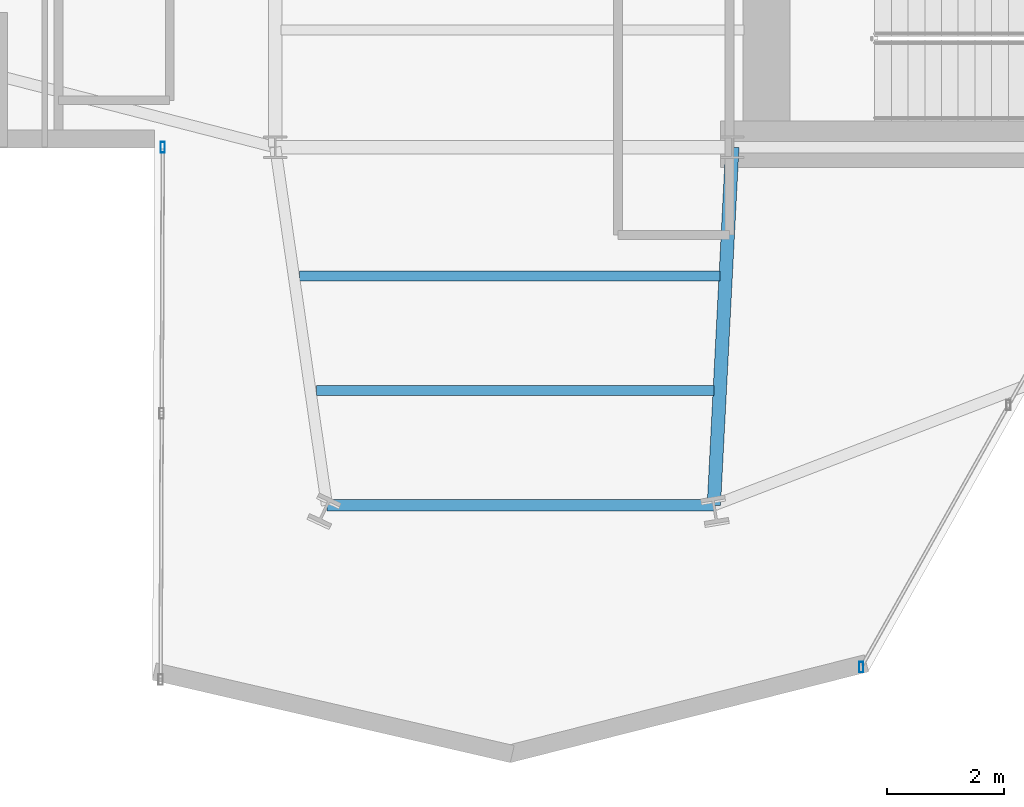
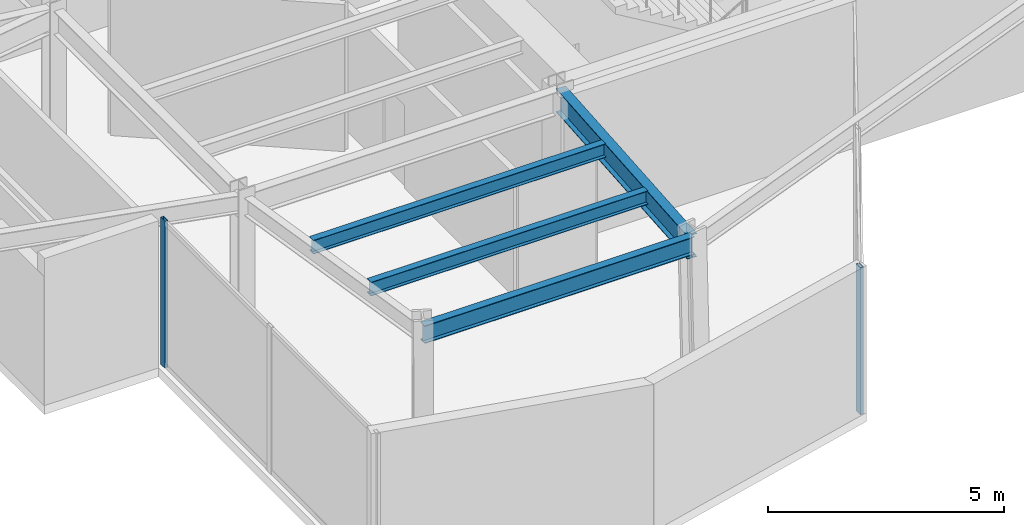
# One storey, part 5 of 23: 4 beams, 2 members, 2 elements without a shape of their own.
"""IFC4 building model written with IfcOpenShell, lengths in metres."""

from ifc_helpers import new_model, si_unit, direction, frame, origin, origin_2d, place, context, subcontext, project, spatial, hollow_rectangle, i_section, extrude, material, layer, layer_set, material_profile, profile_set, type_object, element, aggregate, save


model = new_model("IFC4")

# Units and contexts
model_context = context("Model", 3, precision=1e-05, world=origin(), true_north=direction((0.0, 1.0)))
body_context = subcontext(model_context, "Body", "Model", "MODEL_VIEW")
ifc_project = project(units=[si_unit("LENGTHUNIT", "METRE"), si_unit("AREAUNIT", "SQUARE_METRE"), si_unit("VOLUMEUNIT", "CUBIC_METRE"), si_unit("PLANEANGLEUNIT", "RADIAN"), si_unit("MASSUNIT", "GRAM", prefix="KILO")], contexts=[model_context])

# Site, building, storey
site_placement = place(None, origin())
site = spatial("IfcSite", under=ifc_project, at=site_placement, CompositionType="ELEMENT")
building_placement = place(site_placement, origin())
building = spatial("IfcBuilding", under=site, at=building_placement, Name="Veymaron Broadcast Tower", CompositionType="ELEMENT")
storey_placement = place(building_placement, frame((0.0, 0.0, 165.449951171875)))
storey = spatial("IfcBuildingStorey", under=building, at=storey_placement, Name="L38", CompositionType="ELEMENT", Elevation=165.449951171875)

# Beams
ifc_material_1 = material(Name="Structural steel ASTM A992 Gr 50", Category="steel")
ifc_material_profile_1 = material_profile(ifc_material_1, i_section(OverallWidth=0.22802734375, OverallDepth=0.60791015625, WebThickness=0.01123046875, FlangeThickness=0.017333984375, at=origin_2d()), Name="W610X113")
ifc_profile_set_1 = profile_set([ifc_material_profile_1], Name="Structural steel ASTM A992 Gr 50")
beam_type_1 = type_object("IfcBeamType", Name="BM-FG2", PredefinedType="BEAM", material=ifc_profile_set_1)
beam_1_placement = place(storey_placement, frame((39.0, 16.0, 3.506103515625), z_axis=(-0.051475996299, -0.998674232072, 0.0), x_axis=(0.998674232072, -0.051475996299, 0.0)))
element("IfcBeam", 1, at=beam_1_placement, inside=storey, type_object=beam_type_1, Name="L38 primary structural floor girder", PredefinedType="BEAM", context=body_context, shape_type="SweptSolid", body=[
    extrude(i_section(OverallWidth=0.22802734375, OverallDepth=0.60791015625, WebThickness=0.01123046875, FlangeThickness=0.017333984375, at=origin_2d()), origin(), (0.0, 0.0, 1.0), 6.1181640625),
])
ifc_material_profile_2 = material_profile(ifc_material_1, i_section(OverallWidth=0.1708984375, OverallDepth=0.35498046875, WebThickness=0.007080078125, FlangeThickness=0.01171875, at=origin_2d()), Name="W360X51")
ifc_profile_set_2 = profile_set([ifc_material_profile_2], Name="Structural steel ASTM A992 Gr 50")
beam_type_2 = type_object("IfcBeamType", Name="BM-JS2", PredefinedType="JOIST", material=ifc_profile_set_2)
beam_2_placement = place(storey_placement, frame((31.617431640625, 13.80029296875, 3.632568359375), z_axis=(1.0, 0.0, 0.0), x_axis=(0.0, 1.0, 0.0)))
element("IfcBeam", 2, at=beam_2_placement, inside=storey, type_object=beam_type_2, Name="L38 Arm-C secondary joist 1", PredefinedType="JOIST", context=body_context, shape_type="SweptSolid", body=[
    extrude(i_section(OverallWidth=0.1708984375, OverallDepth=0.35498046875, WebThickness=0.007080078125, FlangeThickness=0.01171875, at=origin_2d()), origin(), (0.0, 0.0, 1.0), 7.169189453125),
])
beam_3_placement = place(storey_placement, frame((31.89990234375, 11.84521484375, 3.632568359375), z_axis=(1.0, 0.0, 0.0), x_axis=(0.0, 1.0, 0.0)))
element("IfcBeam", 3, at=beam_3_placement, inside=storey, type_object=beam_type_2, Name="L38 Arm-C secondary joist 2", PredefinedType="JOIST", context=body_context, shape_type="SweptSolid", body=[
    extrude(i_section(OverallWidth=0.1708984375, OverallDepth=0.35498046875, WebThickness=0.007080078125, FlangeThickness=0.01171875, at=origin_2d()), origin(), (0.0, 0.0, 1.0), 6.785888671875),
])
ifc_material_profile_3 = material_profile(ifc_material_1, i_section(OverallWidth=0.19091796875, OverallDepth=0.4599609375, WebThickness=0.010009765625, FlangeThickness=0.01611328125, at=origin_2d()), Name="W460X82")
ifc_profile_set_3 = profile_set([ifc_material_profile_3], Name="Structural steel ASTM A992 Gr 50")
beam_type_3 = type_object("IfcBeamType", Name="BM-SP1", PredefinedType="SPANDREL", material=ifc_profile_set_3)
beam_4_placement = place(storey_placement, frame((32.08203125, 9.889892578125, 3.580078125), z_axis=(1.0, 0.0, 0.0), x_axis=(0.0, 1.0, 0.0)))
element("IfcBeam", 4, at=beam_4_placement, inside=storey, type_object=beam_type_3, Name="L38 primary structural floor girder", PredefinedType="SPANDREL", context=body_context, shape_type="SweptSolid", body=[
    extrude(i_section(OverallWidth=0.19091796875, OverallDepth=0.4599609375, WebThickness=0.010009765625, FlangeThickness=0.01611328125, at=origin_2d()), origin(), (0.0, 0.0, 1.0), 6.60302734375),
])

# Curtain wall, member
ifc_material_2 = material(Name="Anodised aluminium AA 6063-T6 and laminated low-E dark glass", Category="aluminium")
ifc_layer = layer(ifc_material_2, 0.179931640625)
ifc_layer_set = layer_set([ifc_layer], Name="Anodised aluminium AA 6063-T6 and laminated low-E dark glass")
curtain_wall_type = type_object("IfcCurtainWallType", Name="CW-SYS-03", PredefinedType="NOTDEFINED", material=ifc_layer_set)
curtain_wall_1_placement = place(storey_placement, origin())
curtain_wall_1 = element("IfcCurtainWall", 5, at=curtain_wall_1_placement, inside=storey, type_object=curtain_wall_type, Name="L38 dark-glass curtain wall CW-L38-E1-1", PredefinedType="NOTDEFINED")
ifc_material_3 = material(Name="Anodised aluminium AA 6063-T6", Category="aluminium")
ifc_material_profile_4 = material_profile(ifc_material_3, hollow_rectangle(XDim=0.074951171875, YDim=0.179931640625, WallThickness=0.0048828125, at=origin_2d()), Name="AL180X75X5")
ifc_profile_set_4 = profile_set([ifc_material_profile_4], Name="Anodised aluminium AA 6063-T6")
member_type = type_object("IfcMemberType", Name="CW-MUL-02", PredefinedType="MULLION", material=ifc_profile_set_4)
member_1_placement = place(storey_placement, frame((41.19970703125, 7.126708984375, 0.0), z_axis=(0.0, 0.0, 1.0), x_axis=(1.0, 0.0, 0.0)))
member_1 = element("IfcMember", 6, at=member_1_placement, type_object=member_type, Name="CW-L38-E1-1 mullion 0", PredefinedType="MULLION", context=body_context, shape_type="SweptSolid", body=[
    extrude(hollow_rectangle(XDim=0.074951171875, YDim=0.179931640625, WallThickness=0.0048828125, at=origin_2d()), origin(), (0.0, 0.0, 1.0), 3.81005859375),
])
aggregate(curtain_wall_1, [member_1])

curtain_wall_2_placement = place(storey_placement, origin())
curtain_wall_2 = element("IfcCurtainWall", 7, at=curtain_wall_2_placement, inside=storey, type_object=curtain_wall_type, Name="L38 dark-glass curtain wall CW-L38-E17-1", PredefinedType="NOTDEFINED")
member_2_placement = place(storey_placement, frame((29.28076171875, 15.99951171875, 0.0), z_axis=(0.0, 0.0, 1.0), x_axis=(1.0, 0.0, 0.0)))
member_2 = element("IfcMember", 8, at=member_2_placement, type_object=member_type, Name="CW-L38-E17-1 mullion 0", PredefinedType="MULLION", context=body_context, shape_type="SweptSolid", body=[
    extrude(hollow_rectangle(XDim=0.074951171875, YDim=0.179931640625, WallThickness=0.0048828125, at=origin_2d()), origin(), (0.0, 0.0, 1.0), 3.81005859375),
])
aggregate(curtain_wall_2, [member_2])

save(model, "model.ifc")
